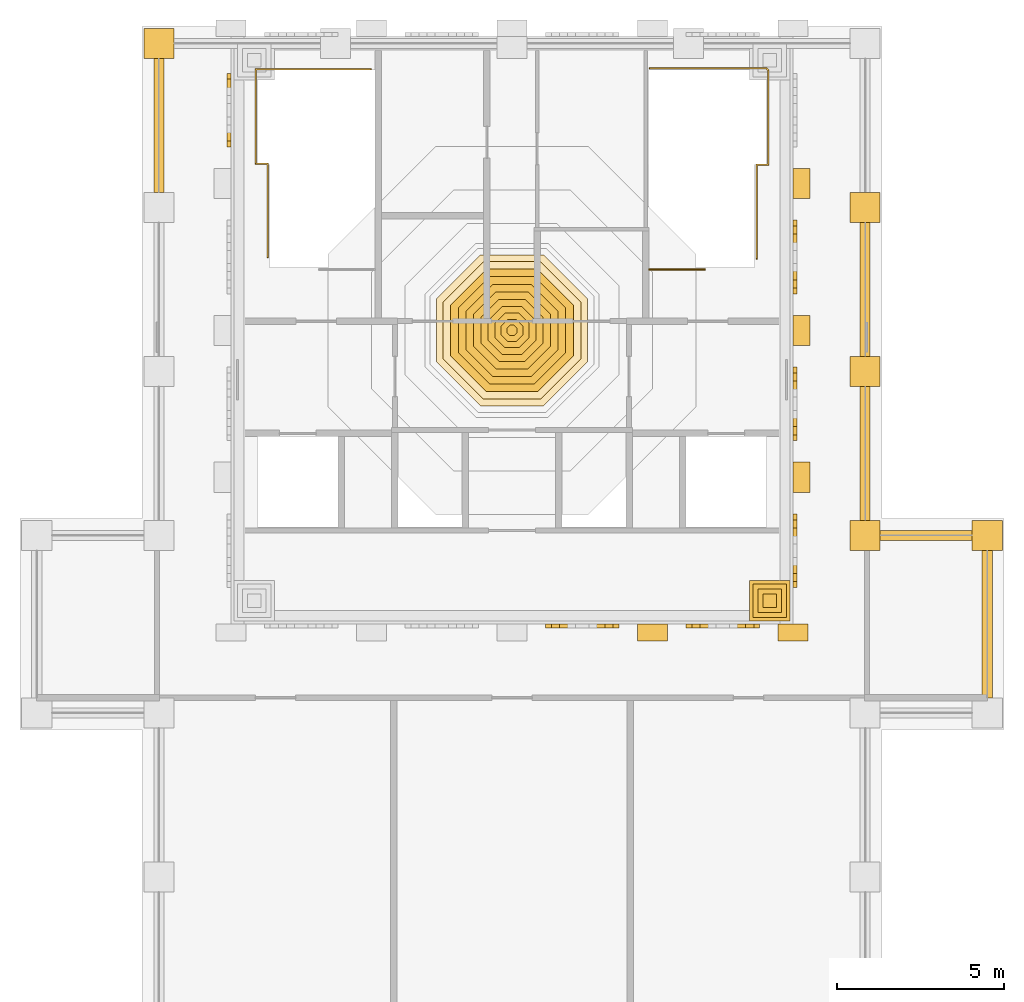
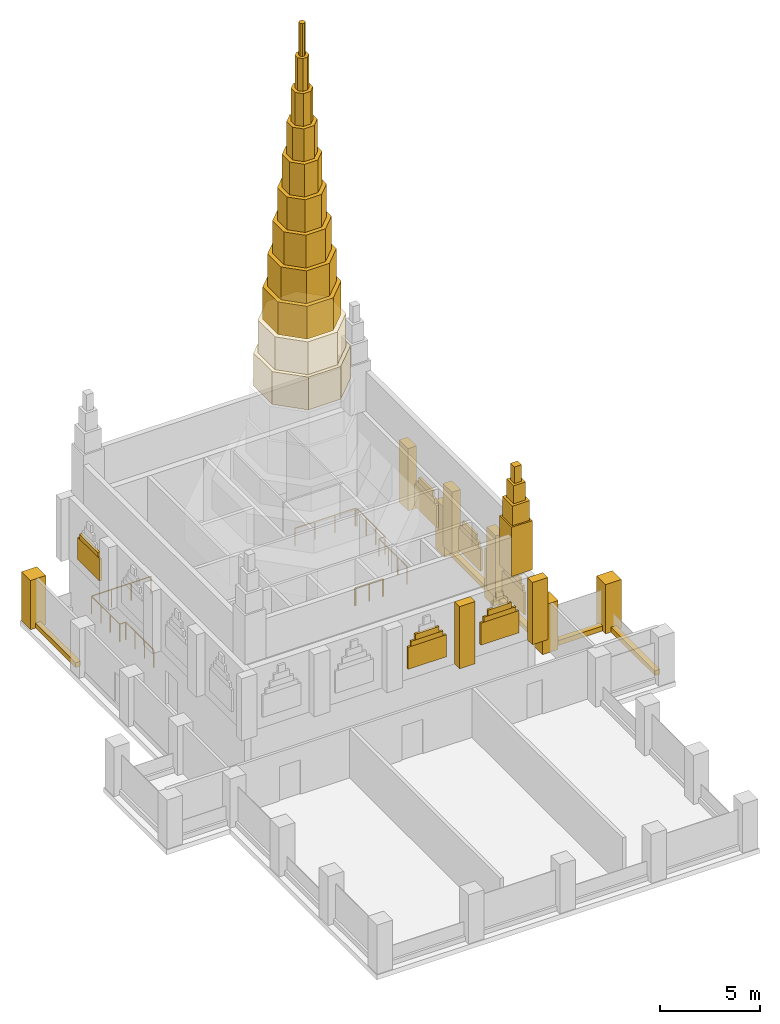
# One storey, part 4 of 6: 47 coverings, 4 railings.
"""IFC4 building model written with IfcOpenShell, lengths in metres."""

from ifc_helpers import new_model, si_unit, direction, frame, origin, origin_2d, place, context, subcontext, project, spatial, polyline, rectangle, outline, extrude, material, type_object, element, save


model = new_model("IFC4")

# Units and contexts
model_context = context("Model", 3, precision=1e-05, world=origin(), true_north=direction((0.0, 1.0)))
body_context = subcontext(model_context, "Body", "Model", "MODEL_VIEW")
ifc_project = project(units=[si_unit("LENGTHUNIT", "METRE"), si_unit("AREAUNIT", "SQUARE_METRE"), si_unit("VOLUMEUNIT", "CUBIC_METRE"), si_unit("PLANEANGLEUNIT", "RADIAN"), si_unit("MASSUNIT", "GRAM", prefix="KILO")], contexts=[model_context])

# Site, building, storey
site_placement = place(None, origin())
site = spatial("IfcSite", under=ifc_project, at=site_placement, CompositionType="ELEMENT")
building_placement = place(site_placement, origin())
building = spatial("IfcBuilding", under=site, at=building_placement, Name="Vermilion Ogive Tower", CompositionType="ELEMENT")
storey_placement = place(building_placement, frame((0.0, 0.0, 302.85009765625)))
storey = spatial("IfcBuildingStorey", under=building, at=storey_placement, Name="RF", CompositionType="ELEMENT", Elevation=302.85009765625)

# Coverings
ifc_material_1 = material(Name="Stone cladding", Category="masonry")
covering_type_1 = type_object("IfcCoveringType", Name="Core buttress pier", PredefinedType="CLADDING", material=ifc_material_1)
covering_1_placement = place(storey_placement, frame((0.0, 0.0, 3.0)))
element("IfcCovering", 1, at=covering_1_placement, inside=storey, type_object=covering_type_1, Name="Buttress pier RF S4", PredefinedType="CLADDING", context=body_context, shape_type="SweptSolid", body=[
    extrude(outline(polyline([(4.64990234375, 4.199951171875), (3.75, 4.199951171875), (3.75, 3.699951171875), (4.64990234375, 3.699951171875), (4.64990234375, 4.199951171875)])), origin(), (0.0, 0.0, 1.0), 3.7998046875),
])
covering_2_placement = place(storey_placement, frame((0.0, 0.0, 3.0)))
element("IfcCovering", 2, at=covering_2_placement, inside=storey, type_object=covering_type_1, Name="Buttress pier RF S5", PredefinedType="CLADDING", context=body_context, shape_type="SweptSolid", body=[
    extrude(outline(polyline([(8.85009765625, 4.199951171875), (7.949951171875, 4.199951171875), (7.949951171875, 3.699951171875), (8.85009765625, 3.699951171875), (8.85009765625, 4.199951171875)])), origin(), (0.0, 0.0, 1.0), 3.7998046875),
])
covering_3_placement = place(storey_placement, frame((0.0, 0.0, 3.0)))
element("IfcCovering", 3, at=covering_3_placement, inside=storey, type_object=covering_type_1, Name="Buttress pier RF E1", PredefinedType="CLADDING", context=body_context, shape_type="SweptSolid", body=[
    extrude(outline(polyline([(8.39990234375, 9.03759765625), (8.39990234375, 8.137451171875), (8.89990234375, 8.137451171875), (8.89990234375, 9.03759765625), (8.39990234375, 9.03759765625)])), origin(), (0.0, 0.0, 1.0), 3.7998046875),
])
covering_4_placement = place(storey_placement, frame((0.0, 0.0, 3.0)))
element("IfcCovering", 4, at=covering_4_placement, inside=storey, type_object=covering_type_1, Name="Buttress pier RF E2", PredefinedType="CLADDING", context=body_context, shape_type="SweptSolid", body=[
    extrude(outline(polyline([(8.39990234375, 13.425048828125), (8.39990234375, 12.52490234375), (8.89990234375, 12.52490234375), (8.89990234375, 13.425048828125), (8.39990234375, 13.425048828125)])), origin(), (0.0, 0.0, 1.0), 3.7998046875),
])
covering_5_placement = place(storey_placement, frame((0.0, 0.0, 3.0)))
element("IfcCovering", 5, at=covering_5_placement, inside=storey, type_object=covering_type_1, Name="Buttress pier RF E3", PredefinedType="CLADDING", context=body_context, shape_type="SweptSolid", body=[
    extrude(outline(polyline([(8.39990234375, 17.8125), (8.39990234375, 16.91259765625), (8.89990234375, 16.91259765625), (8.89990234375, 17.8125), (8.39990234375, 17.8125)])), origin(), (0.0, 0.0, 1.0), 3.7998046875),
])
ifc_material_2 = material(Name="Stone cladding", Category="masonry")
covering_type_2 = type_object("IfcCoveringType", Name="Crown spire", PredefinedType="CLADDING", material=ifc_material_2)
covering_6_placement = place(storey_placement, frame((0.0, 0.0, 16.199951171875)))
element("IfcCovering", 6, at=covering_6_placement, inside=storey, type_object=covering_type_2, Name="Crown spire segment 3", PredefinedType="CLADDING", context=body_context, shape_type="SweptSolid", body=[
    extrude(outline(polyline([(2.260009765625, 13.9111328125), (0.93603515625, 15.235107421875), (-0.93603515625, 15.235107421875), (-2.260009765625, 13.9111328125), (-2.260009765625, 12.038818359375), (-0.93603515625, 10.715087890625), (0.93603515625, 10.715087890625), (2.260009765625, 12.038818359375), (2.260009765625, 13.9111328125)])), origin(), (0.0, 0.0, 1.0), 2.0),
])
covering_7_placement = place(storey_placement, frame((0.0, 0.0, 18.199951171875)))
element("IfcCovering", 7, at=covering_7_placement, inside=storey, type_object=covering_type_2, Name="Crown spire segment 4", PredefinedType="CLADDING", context=body_context, shape_type="SweptSolid", body=[
    extrude(outline(polyline([(2.054931640625, 13.826171875), (0.851318359375, 15.030029296875), (-0.851318359375, 15.030029296875), (-2.054931640625, 13.826171875), (-2.054931640625, 12.123779296875), (-0.851318359375, 10.919921875), (0.851318359375, 10.919921875), (2.054931640625, 12.123779296875), (2.054931640625, 13.826171875)])), origin(), (0.0, 0.0, 1.0), 2.0),
])
covering_8_placement = place(storey_placement, frame((0.0, 0.0, 20.199951171875)))
element("IfcCovering", 8, at=covering_8_placement, inside=storey, type_object=covering_type_2, Name="Crown spire segment 5", PredefinedType="CLADDING", context=body_context, shape_type="SweptSolid", body=[
    extrude(outline(polyline([(1.830078125, 13.73291015625), (0.758056640625, 14.804931640625), (-0.758056640625, 14.804931640625), (-1.830078125, 13.73291015625), (-1.830078125, 12.217041015625), (-0.758056640625, 11.14501953125), (0.758056640625, 11.14501953125), (1.830078125, 12.217041015625), (1.830078125, 13.73291015625)])), origin(), (0.0, 0.0, 1.0), 2.0),
])
covering_9_placement = place(storey_placement, frame((0.0, 0.0, 22.199951171875)))
element("IfcCovering", 9, at=covering_9_placement, inside=storey, type_object=covering_type_2, Name="Crown spire segment 6", PredefinedType="CLADDING", context=body_context, shape_type="SweptSolid", body=[
    extrude(outline(polyline([(1.60498046875, 13.639892578125), (0.664794921875, 14.580078125), (-0.664794921875, 14.580078125), (-1.60498046875, 13.639892578125), (-1.60498046875, 12.310302734375), (-0.664794921875, 11.3701171875), (0.664794921875, 11.3701171875), (1.60498046875, 12.310302734375), (1.60498046875, 13.639892578125)])), origin(), (0.0, 0.0, 1.0), 2.0),
])
covering_10_placement = place(storey_placement, frame((0.0, 0.0, 24.199951171875)))
element("IfcCovering", 10, at=covering_10_placement, inside=storey, type_object=covering_type_2, Name="Crown spire segment 7", PredefinedType="CLADDING", context=body_context, shape_type="SweptSolid", body=[
    extrude(outline(polyline([(1.375, 13.54443359375), (0.569580078125, 14.35009765625), (-0.569580078125, 14.35009765625), (-1.375, 13.54443359375), (-1.375, 12.405517578125), (-0.569580078125, 11.60009765625), (0.569580078125, 11.60009765625), (1.375, 12.405517578125), (1.375, 13.54443359375)])), origin(), (0.0, 0.0, 1.0), 2.0),
])
covering_11_placement = place(storey_placement, frame((0.0, 0.0, 26.199951171875)))
element("IfcCovering", 11, at=covering_11_placement, inside=storey, type_object=covering_type_2, Name="Crown spire segment 8", PredefinedType="CLADDING", context=body_context, shape_type="SweptSolid", body=[
    extrude(outline(polyline([(1.14990234375, 13.451416015625), (0.476318359375, 14.125), (-0.476318359375, 14.125), (-1.14990234375, 13.451416015625), (-1.14990234375, 12.498779296875), (-0.476318359375, 11.824951171875), (0.476318359375, 11.824951171875), (1.14990234375, 12.498779296875), (1.14990234375, 13.451416015625)])), origin(), (0.0, 0.0, 1.0), 2.0),
])
covering_12_placement = place(storey_placement, frame((0.0, 0.0, 28.199951171875)))
element("IfcCovering", 12, at=covering_12_placement, inside=storey, type_object=covering_type_2, Name="Crown spire segment 9", PredefinedType="CLADDING", context=body_context, shape_type="SweptSolid", body=[
    extrude(outline(polyline([(0.929931640625, 13.360107421875), (0.38525390625, 13.905029296875), (-0.38525390625, 13.905029296875), (-0.929931640625, 13.360107421875), (-0.929931640625, 12.58984375), (-0.38525390625, 12.044921875), (0.38525390625, 12.044921875), (0.929931640625, 12.58984375), (0.929931640625, 13.360107421875)])), origin(), (0.0, 0.0, 1.0), 2.0),
])
covering_13_placement = place(storey_placement, frame((0.0, 0.0, 30.199951171875)))
element("IfcCovering", 13, at=covering_13_placement, inside=storey, type_object=covering_type_2, Name="Crown spire segment 10", PredefinedType="CLADDING", context=body_context, shape_type="SweptSolid", body=[
    extrude(outline(polyline([(0.715087890625, 13.271240234375), (0.296142578125, 13.68994140625), (-0.296142578125, 13.68994140625), (-0.715087890625, 13.271240234375), (-0.715087890625, 12.6787109375), (-0.296142578125, 12.260009765625), (0.296142578125, 12.260009765625), (0.715087890625, 12.6787109375), (0.715087890625, 13.271240234375)])), origin(), (0.0, 0.0, 1.0), 2.0),
])
covering_14_placement = place(storey_placement, frame((0.0, 0.0, 32.199951171875)))
element("IfcCovering", 14, at=covering_14_placement, inside=storey, type_object=covering_type_2, Name="Crown spire segment 11", PredefinedType="CLADDING", context=body_context, shape_type="SweptSolid", body=[
    extrude(outline(polyline([(0.514892578125, 13.188232421875), (0.21337890625, 13.489990234375), (-0.21337890625, 13.489990234375), (-0.514892578125, 13.188232421875), (-0.514892578125, 12.76171875), (-0.21337890625, 12.4599609375), (0.21337890625, 12.4599609375), (0.514892578125, 12.76171875), (0.514892578125, 13.188232421875)])), origin(), (0.0, 0.0, 1.0), 2.0),
])
covering_15_placement = place(storey_placement, frame((0.0, 0.0, 34.199951171875)))
element("IfcCovering", 15, at=covering_15_placement, inside=storey, type_object=covering_type_2, Name="Crown spire segment 12", PredefinedType="CLADDING", context=body_context, shape_type="SweptSolid", body=[
    extrude(outline(polyline([(0.324951171875, 13.109619140625), (0.134521484375, 13.300048828125), (-0.134521484375, 13.300048828125), (-0.324951171875, 13.109619140625), (-0.324951171875, 12.84033203125), (-0.134521484375, 12.64990234375), (0.134521484375, 12.64990234375), (0.324951171875, 12.84033203125), (0.324951171875, 13.109619140625)])), origin(), (0.0, 0.0, 1.0), 2.0),
])
covering_16_placement = place(storey_placement, frame((0.0, 0.0, 36.199951171875)))
element("IfcCovering", 16, at=covering_16_placement, inside=storey, type_object=covering_type_2, Name="Crown spire segment 13", PredefinedType="CLADDING", context=body_context, shape_type="SweptSolid", body=[
    extrude(outline(polyline([(0.155029296875, 13.039306640625), (0.064208984375, 13.1298828125), (-0.064208984375, 13.1298828125), (-0.155029296875, 13.039306640625), (-0.155029296875, 12.910888671875), (-0.064208984375, 12.820068359375), (0.064208984375, 12.820068359375), (0.155029296875, 12.910888671875), (0.155029296875, 13.039306640625)])), origin(), (0.0, 0.0, 1.0), 2.0),
])
ifc_material_3 = material(Name="Stone cladding", Category="masonry")
covering_type_3 = type_object("IfcCoveringType", Name="Lancet panel", PredefinedType="CLADDING", material=ifc_material_3)
covering_17_placement = place(storey_placement, frame((0.0, 0.0, 3.699951171875)))
element("IfcCovering", 17, at=covering_17_placement, inside=storey, type_object=covering_type_3, Name="Lancet panel RFS3A", PredefinedType="CLADDING", context=body_context, shape_type="SweptSolid", body=[
    extrude(outline(polyline([(3.199951171875, 4.199951171875), (1.0, 4.199951171875), (1.0, 4.080078125), (3.199951171875, 4.080078125), (3.199951171875, 4.199951171875)])), origin(), (0.0, 0.0, 1.0), 1.349853515625),
])
covering_18_placement = place(storey_placement, frame((0.0, 0.0, 5.0498046875)))
element("IfcCovering", 18, at=covering_18_placement, inside=storey, type_object=covering_type_3, Name="Lancet panel RFS3B", PredefinedType="CLADDING", context=body_context, shape_type="SweptSolid", body=[
    extrude(outline(polyline([(3.02392578125, 4.199951171875), (1.176025390625, 4.199951171875), (1.176025390625, 4.080078125), (3.02392578125, 4.080078125), (3.02392578125, 4.199951171875)])), origin(), (0.0, 0.0, 1.0), 0.300048828125),
])
covering_19_placement = place(storey_placement, frame((0.0, 0.0, 5.349853515625)))
element("IfcCovering", 19, at=covering_19_placement, inside=storey, type_object=covering_type_3, Name="Lancet panel RFS3C", PredefinedType="CLADDING", context=body_context, shape_type="SweptSolid", body=[
    extrude(outline(polyline([(2.781982421875, 4.199951171875), (1.41796875, 4.199951171875), (1.41796875, 4.080078125), (2.781982421875, 4.080078125), (2.781982421875, 4.199951171875)])), origin(), (0.0, 0.0, 1.0), 0.35009765625),
])
covering_20_placement = place(storey_placement, frame((0.0, 0.0, 3.699951171875)))
element("IfcCovering", 20, at=covering_20_placement, inside=storey, type_object=covering_type_3, Name="Lancet panel RFS4A", PredefinedType="CLADDING", context=body_context, shape_type="SweptSolid", body=[
    extrude(outline(polyline([(7.39990234375, 4.199951171875), (5.199951171875, 4.199951171875), (5.199951171875, 4.080078125), (7.39990234375, 4.080078125), (7.39990234375, 4.199951171875)])), origin(), (0.0, 0.0, 1.0), 1.349853515625),
])
covering_21_placement = place(storey_placement, frame((0.0, 0.0, 5.0498046875)))
element("IfcCovering", 21, at=covering_21_placement, inside=storey, type_object=covering_type_3, Name="Lancet panel RFS4B", PredefinedType="CLADDING", context=body_context, shape_type="SweptSolid", body=[
    extrude(outline(polyline([(7.22412109375, 4.199951171875), (5.3759765625, 4.199951171875), (5.3759765625, 4.080078125), (7.22412109375, 4.080078125), (7.22412109375, 4.199951171875)])), origin(), (0.0, 0.0, 1.0), 0.300048828125),
])
covering_22_placement = place(storey_placement, frame((0.0, 0.0, 5.349853515625)))
element("IfcCovering", 22, at=covering_22_placement, inside=storey, type_object=covering_type_3, Name="Lancet panel RFS4C", PredefinedType="CLADDING", context=body_context, shape_type="SweptSolid", body=[
    extrude(outline(polyline([(6.98193359375, 4.199951171875), (5.617919921875, 4.199951171875), (5.617919921875, 4.080078125), (6.98193359375, 4.080078125), (6.98193359375, 4.199951171875)])), origin(), (0.0, 0.0, 1.0), 0.35009765625),
])
covering_23_placement = place(storey_placement, frame((0.0, 0.0, 3.699951171875)))
element("IfcCovering", 23, at=covering_23_placement, inside=storey, type_object=covering_type_3, Name="Lancet panel RFE1A", PredefinedType="CLADDING", context=body_context, shape_type="SweptSolid", body=[
    extrude(outline(polyline([(8.39990234375, 7.493896484375), (8.39990234375, 5.293701171875), (8.52001953125, 5.293701171875), (8.52001953125, 7.493896484375), (8.39990234375, 7.493896484375)])), origin(), (0.0, 0.0, 1.0), 1.349853515625),
])
covering_24_placement = place(storey_placement, frame((0.0, 0.0, 5.0498046875)))
element("IfcCovering", 24, at=covering_24_placement, inside=storey, type_object=covering_type_3, Name="Lancet panel RFE1B", PredefinedType="CLADDING", context=body_context, shape_type="SweptSolid", body=[
    extrude(outline(polyline([(8.39990234375, 7.31787109375), (8.39990234375, 5.4697265625), (8.52001953125, 5.4697265625), (8.52001953125, 7.31787109375), (8.39990234375, 7.31787109375)])), origin(), (0.0, 0.0, 1.0), 0.300048828125),
])
covering_25_placement = place(storey_placement, frame((0.0, 0.0, 5.349853515625)))
element("IfcCovering", 25, at=covering_25_placement, inside=storey, type_object=covering_type_3, Name="Lancet panel RFE1C", PredefinedType="CLADDING", context=body_context, shape_type="SweptSolid", body=[
    extrude(outline(polyline([(8.39990234375, 7.07568359375), (8.39990234375, 5.7119140625), (8.52001953125, 5.7119140625), (8.52001953125, 7.07568359375), (8.39990234375, 7.07568359375)])), origin(), (0.0, 0.0, 1.0), 0.35009765625),
])
covering_26_placement = place(storey_placement, frame((0.0, 0.0, 3.699951171875)))
element("IfcCovering", 26, at=covering_26_placement, inside=storey, type_object=covering_type_3, Name="Lancet panel RFE2A", PredefinedType="CLADDING", context=body_context, shape_type="SweptSolid", body=[
    extrude(outline(polyline([(8.39990234375, 11.881103515625), (8.39990234375, 9.681396484375), (8.52001953125, 9.681396484375), (8.52001953125, 11.881103515625), (8.39990234375, 11.881103515625)])), origin(), (0.0, 0.0, 1.0), 1.349853515625),
])
covering_27_placement = place(storey_placement, frame((0.0, 0.0, 5.0498046875)))
element("IfcCovering", 27, at=covering_27_placement, inside=storey, type_object=covering_type_3, Name="Lancet panel RFE2B", PredefinedType="CLADDING", context=body_context, shape_type="SweptSolid", body=[
    extrude(outline(polyline([(8.39990234375, 11.705078125), (8.39990234375, 9.857421875), (8.52001953125, 9.857421875), (8.52001953125, 11.705078125), (8.39990234375, 11.705078125)])), origin(), (0.0, 0.0, 1.0), 0.300048828125),
])
covering_28_placement = place(storey_placement, frame((0.0, 0.0, 5.349853515625)))
element("IfcCovering", 28, at=covering_28_placement, inside=storey, type_object=covering_type_3, Name="Lancet panel RFE2C", PredefinedType="CLADDING", context=body_context, shape_type="SweptSolid", body=[
    extrude(outline(polyline([(8.39990234375, 11.46337890625), (8.39990234375, 10.09912109375), (8.52001953125, 10.09912109375), (8.52001953125, 11.46337890625), (8.39990234375, 11.46337890625)])), origin(), (0.0, 0.0, 1.0), 0.35009765625),
])
covering_29_placement = place(storey_placement, frame((0.0, 0.0, 3.699951171875)))
element("IfcCovering", 29, at=covering_29_placement, inside=storey, type_object=covering_type_3, Name="Lancet panel RFE3A", PredefinedType="CLADDING", context=body_context, shape_type="SweptSolid", body=[
    extrude(outline(polyline([(8.39990234375, 16.268798828125), (8.39990234375, 14.06884765625), (8.52001953125, 14.06884765625), (8.52001953125, 16.268798828125), (8.39990234375, 16.268798828125)])), origin(), (0.0, 0.0, 1.0), 1.349853515625),
])
covering_30_placement = place(storey_placement, frame((0.0, 0.0, 5.0498046875)))
element("IfcCovering", 30, at=covering_30_placement, inside=storey, type_object=covering_type_3, Name="Lancet panel RFE3B", PredefinedType="CLADDING", context=body_context, shape_type="SweptSolid", body=[
    extrude(outline(polyline([(8.39990234375, 16.0927734375), (8.39990234375, 14.244873046875), (8.52001953125, 14.244873046875), (8.52001953125, 16.0927734375), (8.39990234375, 16.0927734375)])), origin(), (0.0, 0.0, 1.0), 0.300048828125),
])
covering_31_placement = place(storey_placement, frame((0.0, 0.0, 5.349853515625)))
element("IfcCovering", 31, at=covering_31_placement, inside=storey, type_object=covering_type_3, Name="Lancet panel RFE3C", PredefinedType="CLADDING", context=body_context, shape_type="SweptSolid", body=[
    extrude(outline(polyline([(8.39990234375, 15.850830078125), (8.39990234375, 14.48681640625), (8.52001953125, 14.48681640625), (8.52001953125, 15.850830078125), (8.39990234375, 15.850830078125)])), origin(), (0.0, 0.0, 1.0), 0.35009765625),
])
covering_32_placement = place(storey_placement, frame((0.0, 0.0, 3.699951171875)))
element("IfcCovering", 32, at=covering_32_placement, inside=storey, type_object=covering_type_3, Name="Lancet panel RFW4A", PredefinedType="CLADDING", context=body_context, shape_type="SweptSolid", body=[
    extrude(outline(polyline([(-8.39990234375, 18.456298828125), (-8.39990234375, 20.65625), (-8.52001953125, 20.65625), (-8.52001953125, 18.456298828125), (-8.39990234375, 18.456298828125)])), origin(), (0.0, 0.0, 1.0), 1.349853515625),
])
covering_33_placement = place(storey_placement, frame((0.0, 0.0, 5.0498046875)))
element("IfcCovering", 33, at=covering_33_placement, inside=storey, type_object=covering_type_3, Name="Lancet panel RFW4B", PredefinedType="CLADDING", context=body_context, shape_type="SweptSolid", body=[
    extrude(outline(polyline([(-8.39990234375, 18.632080078125), (-8.39990234375, 20.480224609375), (-8.52001953125, 20.480224609375), (-8.52001953125, 18.632080078125), (-8.39990234375, 18.632080078125)])), origin(), (0.0, 0.0, 1.0), 0.300048828125),
])
ifc_material_4 = material(Name="Stone cladding", Category="masonry")
covering_type_4 = type_object("IfcCoveringType", Name="Parapet kerb", PredefinedType="CLADDING", material=ifc_material_4)
covering_34_placement = place(storey_placement, origin())
element("IfcCovering", 34, at=covering_34_placement, inside=storey, type_object=covering_type_4, Name="Parapet kerb 5.3", PredefinedType="CLADDING", context=body_context, shape_type="SweptSolid", body=[
    extrude(outline(polyline([(-10.39990234375, 17.10009765625), (-10.39990234375, 21.10009765625), (-10.699951171875, 21.10009765625), (-10.699951171875, 17.10009765625), (-10.39990234375, 17.10009765625)])), origin(), (0.0, 0.0, 1.0), 0.2998046875),
])
covering_35_placement = place(storey_placement, origin())
element("IfcCovering", 35, at=covering_35_placement, inside=storey, type_object=covering_type_4, Name="Parapet kerb 7.2", PredefinedType="CLADDING", context=body_context, shape_type="SweptSolid", body=[
    extrude(outline(polyline([(10.39990234375, 16.199951171875), (10.39990234375, 12.199951171875), (10.699951171875, 12.199951171875), (10.699951171875, 16.199951171875), (10.39990234375, 16.199951171875)])), origin(), (0.0, 0.0, 1.0), 0.2998046875),
])
covering_36_placement = place(storey_placement, origin())
element("IfcCovering", 36, at=covering_36_placement, inside=storey, type_object=covering_type_4, Name="Parapet kerb 7.3", PredefinedType="CLADDING", context=body_context, shape_type="SweptSolid", body=[
    extrude(outline(polyline([(10.39990234375, 11.300048828125), (10.39990234375, 7.300048828125), (10.699951171875, 7.300048828125), (10.699951171875, 11.300048828125), (10.39990234375, 11.300048828125)])), origin(), (0.0, 0.0, 1.0), 0.2998046875),
])
covering_37_placement = place(storey_placement, origin())
element("IfcCovering", 37, at=covering_37_placement, inside=storey, type_object=covering_type_4, Name="Parapet kerb 8.1", PredefinedType="CLADDING", context=body_context, shape_type="SweptSolid", body=[
    extrude(outline(polyline([(11.0, 6.699951171875), (13.75, 6.699951171875), (13.75, 7.0), (11.0, 7.0), (11.0, 6.699951171875)])), origin(), (0.0, 0.0, 1.0), 0.2998046875),
])
covering_38_placement = place(storey_placement, origin())
element("IfcCovering", 38, at=covering_38_placement, inside=storey, type_object=covering_type_4, Name="Parapet kerb 9.1", PredefinedType="CLADDING", context=body_context, shape_type="SweptSolid", body=[
    extrude(outline(polyline([(14.050048828125, 6.39990234375), (14.050048828125, 2.0), (14.35009765625, 2.0), (14.35009765625, 6.39990234375), (14.050048828125, 6.39990234375)])), origin(), (0.0, 0.0, 1.0), 0.2998046875),
])
ifc_material_5 = material(Name="Stone cladding", Category="masonry")
covering_type_5 = type_object("IfcCoveringType", Name="Parapet pier", PredefinedType="CLADDING", material=ifc_material_5)
covering_39_placement = place(storey_placement, origin())
element("IfcCovering", 39, at=covering_39_placement, inside=storey, type_object=covering_type_5, Name="Parapet pier 6.1", PredefinedType="CLADDING", context=body_context, shape_type="SweptSolid", body=[
    extrude(outline(polyline([(-11.0, 21.10009765625), (-10.10009765625, 21.10009765625), (-10.10009765625, 22.0), (-11.0, 22.0), (-11.0, 21.10009765625)])), origin(), (0.0, 0.0, 1.0), 3.0),
])
covering_40_placement = place(storey_placement, origin())
element("IfcCovering", 40, at=covering_40_placement, inside=storey, type_object=covering_type_5, Name="Parapet pier 7.2", PredefinedType="CLADDING", context=body_context, shape_type="SweptSolid", body=[
    extrude(outline(polyline([(10.10009765625, 16.199951171875), (11.0, 16.199951171875), (11.0, 17.10009765625), (10.10009765625, 17.10009765625), (10.10009765625, 16.199951171875)])), origin(), (0.0, 0.0, 1.0), 3.0),
])
covering_41_placement = place(storey_placement, origin())
element("IfcCovering", 41, at=covering_41_placement, inside=storey, type_object=covering_type_5, Name="Parapet pier 7.3", PredefinedType="CLADDING", context=body_context, shape_type="SweptSolid", body=[
    extrude(outline(polyline([(10.10009765625, 11.300048828125), (11.0, 11.300048828125), (11.0, 12.199951171875), (10.10009765625, 12.199951171875), (10.10009765625, 11.300048828125)])), origin(), (0.0, 0.0, 1.0), 3.0),
])
covering_42_placement = place(storey_placement, origin())
element("IfcCovering", 42, at=covering_42_placement, inside=storey, type_object=covering_type_5, Name="Parapet pier 8.1", PredefinedType="CLADDING", context=body_context, shape_type="SweptSolid", body=[
    extrude(outline(polyline([(10.10009765625, 6.39990234375), (11.0, 6.39990234375), (11.0, 7.300048828125), (10.10009765625, 7.300048828125), (10.10009765625, 6.39990234375)])), origin(), (0.0, 0.0, 1.0), 3.0),
])
covering_43_placement = place(storey_placement, origin())
element("IfcCovering", 43, at=covering_43_placement, inside=storey, type_object=covering_type_5, Name="Parapet pier 9.1", PredefinedType="CLADDING", context=body_context, shape_type="SweptSolid", body=[
    extrude(outline(polyline([(13.75, 6.39990234375), (14.64990234375, 6.39990234375), (14.64990234375, 7.300048828125), (13.75, 7.300048828125), (13.75, 6.39990234375)])), origin(), (0.0, 0.0, 1.0), 3.0),
])

# Railings
ifc_material_6 = material(Name="Steel S355 painted", Category="steel")
railing_type = type_object("IfcRailingType", Name="Stair guard 1100", PredefinedType="GUARDRAIL", material=ifc_material_6)
railing_1_placement = place(storey_placement, frame((4.10009765625, 14.800048828125, 0.0)))
element("IfcRailing", 44, at=railing_1_placement, inside=storey, type_object=railing_type, Name="RF ST2 top well guard 1", PredefinedType="GUARDRAIL", context=body_context, shape_type="SweptSolid", body=[
    extrude(rectangle(XDim=0.048095703125, YDim=0.048095703125, at=origin_2d()), frame((0.0, 0.0, 1.076171875), z_axis=(1.0, 0.0, 0.0), x_axis=(0.0, 1.0, 0.0)), (0.0, 0.0, 1.0), 1.64990234375),
    extrude(rectangle(XDim=0.0419921875, YDim=0.0419921875, at=origin_2d()), origin(), (0.0, 0.0, 1.0), 1.052001953125),
    extrude(rectangle(XDim=0.0419921875, YDim=0.0419921875, at=origin_2d()), frame((0.824951171875, 0.0, 0.0)), (0.0, 0.0, 1.0), 1.052001953125),
    extrude(rectangle(XDim=0.0419921875, YDim=0.0419921875, at=origin_2d()), frame((1.64990234375, 0.0, 0.0)), (0.0, 0.0, 1.0), 1.052001953125),
])
railing_2_placement = place(storey_placement, frame((-7.302490234375, 15.154541015625, 0.0)))
element("IfcRailing", 45, at=railing_2_placement, inside=storey, type_object=railing_type, Name="RF stair opening guard", PredefinedType="GUARDRAIL", context=body_context, shape_type="SweptSolid", body=[
    extrude(rectangle(XDim=0.048095703125, YDim=0.048095703125, at=origin_2d()), frame((0.0, 0.0, 1.076171875), z_axis=(0.0, 1.0, 0.0), x_axis=(-1.0, 0.0, 0.0)), (0.0, 0.0, 1.0), 2.804443359375),
    extrude(rectangle(XDim=0.048095703125, YDim=0.048095703125, at=origin_2d()), frame((0.0, 2.804443359375, 1.076171875), z_axis=(-1.0, 0.0, 0.0), x_axis=(0.0, -1.0, 0.0)), (0.0, 0.0, 1.0), 0.35009765625),
    extrude(rectangle(XDim=0.048095703125, YDim=0.048095703125, at=origin_2d()), frame((-0.35009765625, 2.804443359375, 1.076171875), z_axis=(0.0, 1.0, 0.0), x_axis=(-1.0, 0.0, 0.0)), (0.0, 0.0, 1.0), 2.81982421875),
    extrude(rectangle(XDim=0.048095703125, YDim=0.048095703125, at=origin_2d()), frame((-0.35009765625, 5.624267578125, 1.076171875), z_axis=(1.0, 0.0, 0.0), x_axis=(0.0, 1.0, 0.0)), (0.0, 0.0, 1.0), 3.43994140625),
    extrude(rectangle(XDim=0.0419921875, YDim=0.0419921875, at=origin_2d()), origin(), (0.0, 0.0, 1.0), 1.052001953125),
    extrude(rectangle(XDim=0.0419921875, YDim=0.0419921875, at=origin_2d()), frame((0.0, 0.934814453125, 0.0)), (0.0, 0.0, 1.0), 1.052001953125),
    extrude(rectangle(XDim=0.0419921875, YDim=0.0419921875, at=origin_2d()), frame((0.0, 1.86962890625, 0.0)), (0.0, 0.0, 1.0), 1.052001953125),
    extrude(rectangle(XDim=0.0419921875, YDim=0.0419921875, at=origin_2d()), frame((0.0, 2.804443359375, 0.0)), (0.0, 0.0, 1.0), 1.052001953125),
    extrude(rectangle(XDim=0.0419921875, YDim=0.0419921875, at=origin_2d()), frame((-0.35009765625, 2.804443359375, 0.0)), (0.0, 0.0, 1.0), 1.052001953125),
    extrude(rectangle(XDim=0.0419921875, YDim=0.0419921875, at=origin_2d()), frame((-0.35009765625, 3.744384765625, 0.0)), (0.0, 0.0, 1.0), 1.052001953125),
    extrude(rectangle(XDim=0.0419921875, YDim=0.0419921875, at=origin_2d()), frame((-0.35009765625, 4.684326171875, 0.0)), (0.0, 0.0, 1.0), 1.052001953125),
    extrude(rectangle(XDim=0.0419921875, YDim=0.0419921875, at=origin_2d()), frame((-0.35009765625, 5.624267578125, 0.0)), (0.0, 0.0, 1.0), 1.052001953125),
    extrude(rectangle(XDim=0.0419921875, YDim=0.0419921875, at=origin_2d()), frame((0.796630859375, 5.624267578125, 0.0)), (0.0, 0.0, 1.0), 1.052001953125),
    extrude(rectangle(XDim=0.0419921875, YDim=0.0419921875, at=origin_2d()), frame((1.943115234375, 5.624267578125, 0.0)), (0.0, 0.0, 1.0), 1.052001953125),
    extrude(rectangle(XDim=0.0419921875, YDim=0.0419921875, at=origin_2d()), frame((3.08984375, 5.624267578125, 0.0)), (0.0, 0.0, 1.0), 1.052001953125),
])
railing_3_placement = place(storey_placement, frame((5.699951171875, 14.7900390625, 0.0)))
element("IfcRailing", 46, at=railing_3_placement, inside=storey, type_object=railing_type, Name="RF stair opening guard", PredefinedType="GUARDRAIL", context=body_context, shape_type="SweptSolid", body=[
    extrude(rectangle(XDim=0.048095703125, YDim=0.048095703125, at=origin_2d()), frame((0.0, 0.0, 1.076171875), z_axis=(-1.0, 0.0, 0.0), x_axis=(0.0, -1.0, 0.0)), (0.0, 0.0, 1.0), 1.5400390625),
    extrude(rectangle(XDim=0.0419921875, YDim=0.0419921875, at=origin_2d()), origin(), (0.0, 0.0, 1.0), 1.052001953125),
    extrude(rectangle(XDim=0.0419921875, YDim=0.0419921875, at=origin_2d()), frame((-0.77001953125, 0.0, 0.0)), (0.0, 0.0, 1.0), 1.052001953125),
    extrude(rectangle(XDim=0.0419921875, YDim=0.0419921875, at=origin_2d()), frame((-1.5400390625, 0.0, 0.0)), (0.0, 0.0, 1.0), 1.052001953125),
])
railing_4_placement = place(storey_placement, frame((4.110107421875, 20.81005859375, 0.0)))
element("IfcRailing", 47, at=railing_4_placement, inside=storey, type_object=railing_type, Name="RF stair opening guard", PredefinedType="GUARDRAIL", context=body_context, shape_type="SweptSolid", body=[
    extrude(rectangle(XDim=0.048095703125, YDim=0.048095703125, at=origin_2d()), frame((0.0, 0.0, 1.076171875), z_axis=(1.0, 0.0, 0.0), x_axis=(0.0, 1.0, 0.0)), (0.0, 0.0, 1.0), 3.489990234375),
    extrude(rectangle(XDim=0.048095703125, YDim=0.048095703125, at=origin_2d()), frame((3.489990234375, 0.0, 1.076171875), z_axis=(0.684405604278, -0.729101480476, 0.0), x_axis=(0.729101480476, 0.684405604278, 0.0)), (0.0, 0.0, 1.0), 0.08740234375),
    extrude(rectangle(XDim=0.048095703125, YDim=0.048095703125, at=origin_2d()), frame((3.5498046875, -0.063720703125, 1.076171875), z_axis=(0.0, -1.0, 0.0), x_axis=(1.0, 0.0, 0.0)), (0.0, 0.0, 1.0), 2.820068359375),
    extrude(rectangle(XDim=0.048095703125, YDim=0.048095703125, at=origin_2d()), frame((3.5498046875, -2.8837890625, 1.076171875), z_axis=(-1.0, 0.0, 0.0), x_axis=(0.0, -1.0, 0.0)), (0.0, 0.0, 1.0), 0.35009765625),
    extrude(rectangle(XDim=0.048095703125, YDim=0.048095703125, at=origin_2d()), frame((3.19970703125, -2.8837890625, 1.076171875), z_axis=(0.0, -1.0, 0.0), x_axis=(1.0, 0.0, 0.0)), (0.0, 0.0, 1.0), 2.80419921875),
    extrude(rectangle(XDim=0.0419921875, YDim=0.0419921875, at=origin_2d()), origin(), (0.0, 0.0, 1.0), 1.052001953125),
    extrude(rectangle(XDim=0.0419921875, YDim=0.0419921875, at=origin_2d()), frame((1.163330078125, 0.0, 0.0)), (0.0, 0.0, 1.0), 1.052001953125),
    extrude(rectangle(XDim=0.0419921875, YDim=0.0419921875, at=origin_2d()), frame((2.32666015625, 0.0, 0.0)), (0.0, 0.0, 1.0), 1.052001953125),
    extrude(rectangle(XDim=0.0419921875, YDim=0.0419921875, at=origin_2d()), frame((3.489990234375, 0.0, 0.0)), (0.0, 0.0, 1.0), 1.052001953125),
    extrude(rectangle(XDim=0.0419921875, YDim=0.0419921875, at=origin_2d()), frame((3.5498046875, -0.063720703125, 0.0)), (0.0, 0.0, 1.0), 1.052001953125),
    extrude(rectangle(XDim=0.0419921875, YDim=0.0419921875, at=origin_2d()), frame((3.5498046875, -1.003662109375, 0.0)), (0.0, 0.0, 1.0), 1.052001953125),
    extrude(rectangle(XDim=0.0419921875, YDim=0.0419921875, at=origin_2d()), frame((3.5498046875, -1.94384765625, 0.0)), (0.0, 0.0, 1.0), 1.052001953125),
    extrude(rectangle(XDim=0.0419921875, YDim=0.0419921875, at=origin_2d()), frame((3.5498046875, -2.8837890625, 0.0)), (0.0, 0.0, 1.0), 1.052001953125),
    extrude(rectangle(XDim=0.0419921875, YDim=0.0419921875, at=origin_2d()), frame((3.19970703125, -2.8837890625, 0.0)), (0.0, 0.0, 1.0), 1.052001953125),
    extrude(rectangle(XDim=0.0419921875, YDim=0.0419921875, at=origin_2d()), frame((3.19970703125, -3.818603515625, 0.0)), (0.0, 0.0, 1.0), 1.052001953125),
    extrude(rectangle(XDim=0.0419921875, YDim=0.0419921875, at=origin_2d()), frame((3.19970703125, -4.753173828125, 0.0)), (0.0, 0.0, 1.0), 1.052001953125),
    extrude(rectangle(XDim=0.0419921875, YDim=0.0419921875, at=origin_2d()), frame((3.19970703125, -5.68798828125, 0.0)), (0.0, 0.0, 1.0), 1.052001953125),
])

# Coverings
ifc_material_7 = material(Name="Stone cladding", Category="masonry")
covering_type_6 = type_object("IfcCoveringType", Name="Stone pinnacle", PredefinedType="CLADDING", material=ifc_material_7)
covering_44_placement = place(storey_placement, frame((0.0, 0.0, 7.099853515625)))
element("IfcCovering", 48, at=covering_44_placement, inside=storey, type_object=covering_type_6, Name="Stone pinnacle RFH2A", PredefinedType="CLADDING", context=body_context, shape_type="SweptSolid", body=[
    extrude(outline(polyline([(7.10009765625, 4.300048828125), (8.300048828125, 4.300048828125), (8.300048828125, 5.5), (7.10009765625, 5.5), (7.10009765625, 4.300048828125)])), origin(), (0.0, 0.0, 1.0), 3.0),
])
covering_45_placement = place(storey_placement, frame((0.0, 0.0, 10.099853515625)))
element("IfcCovering", 49, at=covering_45_placement, inside=storey, type_object=covering_type_6, Name="Stone pinnacle RFH2B", PredefinedType="CLADDING", context=body_context, shape_type="SweptSolid", body=[
    extrude(outline(polyline([(7.199951171875, 4.39990234375), (8.199951171875, 4.39990234375), (8.199951171875, 5.39990234375), (7.199951171875, 5.39990234375), (7.199951171875, 4.39990234375)])), origin(), (0.0, 0.0, 1.0), 1.199951171875),
])
covering_46_placement = place(storey_placement, frame((0.0, 0.0, 11.2998046875)))
element("IfcCovering", 50, at=covering_46_placement, inside=storey, type_object=covering_type_6, Name="Stone pinnacle RFH2C", PredefinedType="CLADDING", context=body_context, shape_type="SweptSolid", body=[
    extrude(outline(polyline([(7.35009765625, 4.550048828125), (8.050048828125, 4.550048828125), (8.050048828125, 5.25), (7.35009765625, 5.25), (7.35009765625, 4.550048828125)])), origin(), (0.0, 0.0, 1.0), 1.10009765625),
])
covering_47_placement = place(storey_placement, frame((0.0, 0.0, 12.39990234375)))
element("IfcCovering", 51, at=covering_47_placement, inside=storey, type_object=covering_type_6, Name="Stone pinnacle RFH2D", PredefinedType="CLADDING", context=body_context, shape_type="SweptSolid", body=[
    extrude(outline(polyline([(7.5, 4.699951171875), (7.89990234375, 4.699951171875), (7.89990234375, 5.10009765625), (7.5, 5.10009765625), (7.5, 4.699951171875)])), origin(), (0.0, 0.0, 1.0), 1.0),
])

save(model, "model.ifc")
